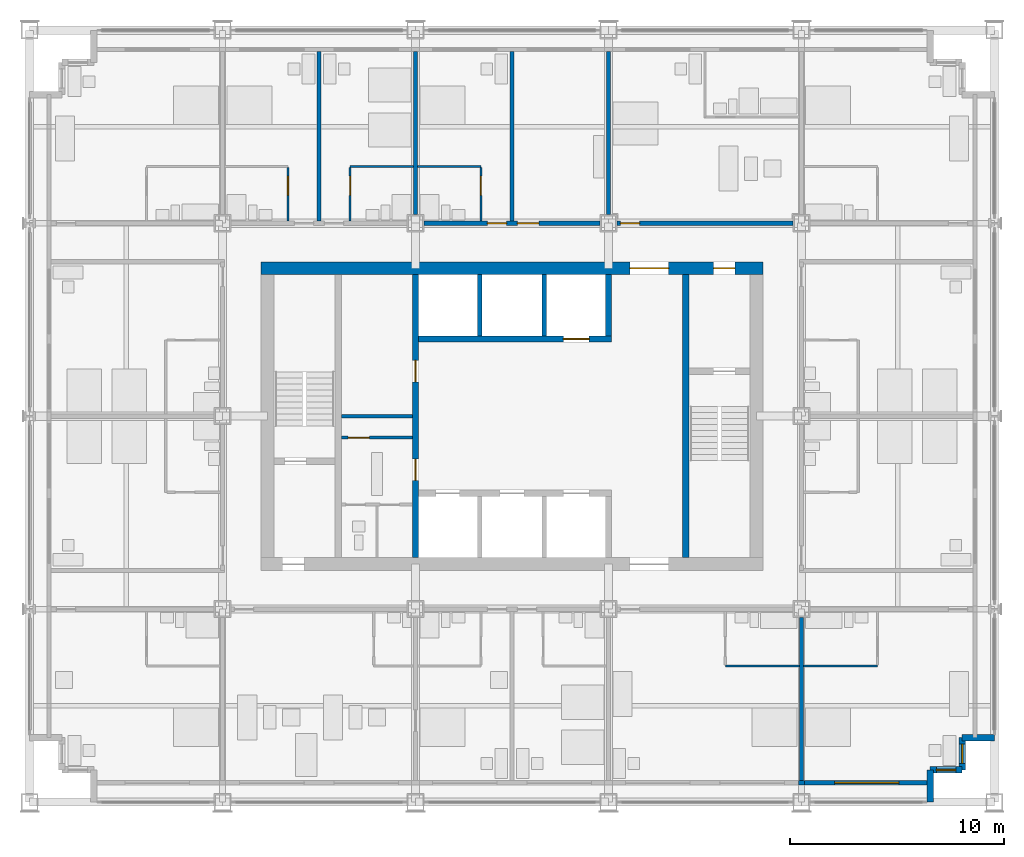
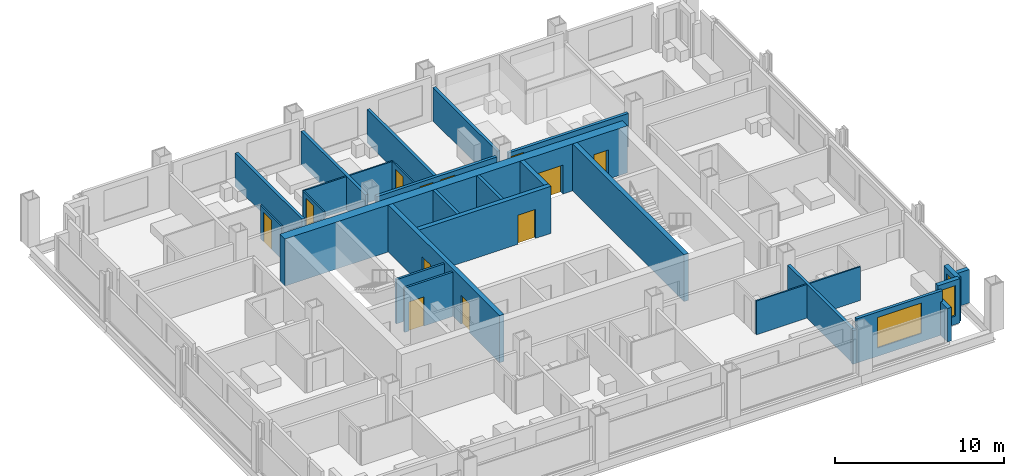
# One storey, part 11 of 16: 29 walls, 12 doors, 3 windows, 15 openings.
"""IFC4 building model written with IfcOpenShell, lengths in metres."""

from ifc_helpers import new_model, si_unit, direction, frame, frame_2d, origin, place, context, subcontext, project, spatial, rectangle, extrude, material, layer, layer_set, type_object, element, fill, save


model = new_model("IFC4")

# Units and contexts
model_context = context("Model", 3, precision=1e-05, world=origin(), true_north=direction((0.0, 1.0)))
body_context = subcontext(model_context, "Body", "Model", "MODEL_VIEW")
ifc_project = project(units=[si_unit("LENGTHUNIT", "METRE"), si_unit("AREAUNIT", "SQUARE_METRE"), si_unit("VOLUMEUNIT", "CUBIC_METRE"), si_unit("PLANEANGLEUNIT", "RADIAN"), si_unit("MASSUNIT", "GRAM", prefix="KILO")], contexts=[model_context])

# Site, building, storey
site_placement = place(None, origin())
site = spatial("IfcSite", under=ifc_project, at=site_placement, CompositionType="ELEMENT")
building_placement = place(site_placement, origin())
building = spatial("IfcBuilding", under=site, at=building_placement, Name="Loomwork Tower", CompositionType="ELEMENT")
storey_placement = place(building_placement, frame((0.0, 0.0, 128.199951171875)))
storey = spatial("IfcBuildingStorey", under=building, at=storey_placement, Name="L34", CompositionType="ELEMENT", Elevation=128.199951171875)

# Wall, openings, doors
ifc_material_1 = material(Name="Concrete 14000 psi (97 MPa)", Category="concrete")
ifc_layer_1 = layer(ifc_material_1, 0.300048828125)
ifc_layer_set_1 = layer_set([ifc_layer_1], Name="Core shear wall 300")
wall_type_1 = type_object("IfcWallType", Name="Core shear wall 300", PredefinedType="SHEAR", material=ifc_layer_set_1)
wall_1_placement = place(storey_placement, frame((18.0, 11.39990234375, 0.0), z_axis=(0.0, 0.0, 1.0), x_axis=(0.0, 1.0, 0.0)))
wall_1 = element("IfcWall", 1, at=wall_1_placement, inside=storey, type_object=wall_type_1, Name="Lobby west wall L34", PredefinedType="SHEAR", context=body_context, shape_type="SweptSolid", body=[
    extrude(rectangle(XDim=13.2001953125, YDim=0.300048828125, at=frame_2d((6.60009765625, 0.0))), origin(), (0.0, 0.0, 1.0), 3.400146484375),
])
opening_1_placement = place(wall_1_placement, frame((3.60009765625, 0.0, 0.0)))
opening_1 = element("IfcOpeningElement", 2, at=opening_1_placement, cuts=wall_1, Name="Opening D5", PredefinedType="OPENING", context=body_context, shape_type="SweptSolid", body=[
    extrude(rectangle(XDim=1.0, YDim=2.10009765625, at=frame_2d((0.5, 1.050048828125))), frame((0.0, 0.159912109375, 0.0), z_axis=(0.0, -1.0, 0.0), x_axis=(1.0, 0.0, 0.0)), (0.0, 0.0, 1.0), 0.320068359375),
])
opening_2_placement = place(wall_1_placement, frame((8.199951171875, 0.0, 0.0)))
opening_2 = element("IfcOpeningElement", 3, at=opening_2_placement, cuts=wall_1, Name="Opening D5", PredefinedType="OPENING", context=body_context, shape_type="SweptSolid", body=[
    extrude(rectangle(XDim=1.0, YDim=2.10009765625, at=frame_2d((0.5, 1.050048828125))), frame((0.0, 0.159912109375, 0.0), z_axis=(0.0, -1.0, 0.0), x_axis=(1.0, 0.0, 0.0)), (0.0, 0.0, 1.0), 0.320068359375),
])
ifc_material_2 = material(Name="Hollow metal door and frame")
door_type_1 = type_object("IfcDoorType", Name="Service door 1000", OperationType="SINGLE_SWING_LEFT", PredefinedType="DOOR", material=ifc_material_2)
door_1_placement = place(opening_1_placement, origin())
door_1 = element("IfcDoor", 4, at=door_1_placement, inside=storey, type_object=door_type_1, Name="Back-of-house door south", OperationType="SINGLE_SWING_LEFT", OverallHeight=2.10009765625, OverallWidth=1.0, PredefinedType="DOOR", context=body_context, shape_type="SweptSolid", body=[
    extrude(rectangle(XDim=1.0, YDim=2.10009765625, at=frame_2d((0.5, 1.050048828125))), frame((0.0, 0.02490234375, 0.0), z_axis=(0.0, -1.0, 0.0), x_axis=(1.0, 0.0, 0.0)), (0.0, 0.0, 1.0), 0.050048828125),
])
fill(opening_1, door_1)
door_2_placement = place(opening_2_placement, origin())
door_2 = element("IfcDoor", 5, at=door_2_placement, inside=storey, type_object=door_type_1, Name="Back-of-house door north", OperationType="SINGLE_SWING_RIGHT", OverallHeight=2.10009765625, OverallWidth=1.0, PredefinedType="DOOR", context=body_context, shape_type="SweptSolid", body=[
    extrude(rectangle(XDim=1.0, YDim=2.10009765625, at=frame_2d((0.5, 1.050048828125))), frame((0.0, 0.02490234375, 0.0), z_axis=(0.0, -1.0, 0.0), x_axis=(1.0, 0.0, 0.0)), (0.0, 0.0, 1.0), 0.050048828125),
])
fill(opening_2, door_2)

# Wall, opening, door
wall_2_placement = place(storey_placement, frame((18.14990234375, 21.60009765625, 0.0), z_axis=(0.0, 0.0, 1.0), x_axis=(1.0, 0.0, 0.0)))
wall_2 = element("IfcWall", 6, at=wall_2_placement, inside=storey, type_object=wall_type_1, Name="Lift front wall north L34", PredefinedType="SHEAR", context=body_context, shape_type="SweptSolid", body=[
    extrude(rectangle(XDim=9.0, YDim=0.300048828125, at=frame_2d((4.5, 0.0))), origin(), (0.0, 0.0, 1.0), 3.400146484375),
])
opening_3_placement = place(wall_2_placement, frame((6.75, 0.0, 0.0)))
opening_3 = element("IfcOpeningElement", 7, at=opening_3_placement, cuts=wall_2, Name="Opening LD2", PredefinedType="OPENING", context=body_context, shape_type="SweptSolid", body=[
    extrude(rectangle(XDim=1.199951171875, YDim=2.10009765625, at=frame_2d((0.60009765625, 1.050048828125))), frame((0.0, 0.159912109375, 0.0), z_axis=(0.0, -1.0, 0.0), x_axis=(1.0, 0.0, 0.0)), (0.0, 0.0, 1.0), 0.320068359375),
])
ifc_material_3 = material(Name="Hollow metal door and frame")
door_type_2 = type_object("IfcDoorType", Name="Lift landing door 1200", OperationType="SLIDING_TO_LEFT", PredefinedType="DOOR", material=ifc_material_3)
door_3_placement = place(opening_3_placement, origin())
door_3 = element("IfcDoor", 8, at=door_3_placement, inside=storey, type_object=door_type_2, Name="Lift landing door LF2", OperationType="SLIDING_TO_LEFT", OverallHeight=2.10009765625, OverallWidth=1.199951171875, PredefinedType="DOOR", context=body_context, shape_type="SweptSolid", body=[
    extrude(rectangle(XDim=1.199951171875, YDim=2.10009765625, at=frame_2d((0.60009765625, 1.050048828125))), frame((0.0, 0.02490234375, 0.0), z_axis=(0.0, -1.0, 0.0), x_axis=(1.0, 0.0, 0.0)), (0.0, 0.0, 1.0), 0.050048828125),
])
fill(opening_3, door_3)

# Walls
wall_3_placement = place(storey_placement, frame((27.0, 21.75, 0.0), z_axis=(0.0, 0.0, 1.0), x_axis=(0.0, 1.0, 0.0)))
element("IfcWall", 9, at=wall_3_placement, inside=storey, type_object=wall_type_1, Name="Lift shaft end wall north L34", PredefinedType="SHEAR", context=body_context, shape_type="SweptSolid", body=[
    extrude(rectangle(XDim=2.85009765625, YDim=0.300048828125, at=frame_2d((1.425048828125, 0.0))), origin(), (0.0, 0.0, 1.0), 3.400146484375),
])
wall_4_placement = place(storey_placement, frame((30.60009765625, 11.39990234375, 0.0), z_axis=(0.0, 0.0, 1.0), x_axis=(0.0, 1.0, 0.0)))
element("IfcWall", 10, at=wall_4_placement, inside=storey, type_object=wall_type_1, Name="Stair B west wall L34", PredefinedType="SHEAR", context=body_context, shape_type="SweptSolid", body=[
    extrude(rectangle(XDim=13.2001953125, YDim=0.300048828125, at=frame_2d((6.60009765625, 0.0))), origin(), (0.0, 0.0, 1.0), 3.400146484375),
])

# Wall, openings, doors
ifc_material_4 = material(Name="Concrete 14000 psi (97 MPa)", Category="concrete")
ifc_layer_2 = layer(ifc_material_4, 0.60009765625)
ifc_layer_set_2 = layer_set([ifc_layer_2], Name="Core shear wall 600")
wall_type_2 = type_object("IfcWallType", Name="Core shear wall 600", PredefinedType="SHEAR", material=ifc_layer_set_2)
wall_5_placement = place(storey_placement, frame((10.800048828125, 24.89990234375, 0.0), z_axis=(0.0, 0.0, 1.0), x_axis=(1.0, 0.0, 0.0)))
wall_5 = element("IfcWall", 11, at=wall_5_placement, inside=storey, type_object=wall_type_2, Name="Core wall north L34", PredefinedType="SHEAR", context=body_context, shape_type="SweptSolid", body=[
    extrude(rectangle(XDim=23.39990234375, YDim=0.60009765625, at=frame_2d((11.699951171875, 0.0))), origin(), (0.0, 0.0, 1.0), 3.400146484375),
])
opening_4_placement = place(wall_5_placement, frame((17.199951171875, 0.0, 0.0)))
opening_4 = element("IfcOpeningElement", 12, at=opening_4_placement, cuts=wall_5, Name="Opening D6", PredefinedType="OPENING", context=body_context, shape_type="SweptSolid", body=[
    extrude(rectangle(XDim=1.800048828125, YDim=2.10009765625, at=frame_2d((0.89990234375, 1.050048828125))), frame((0.0, 0.31005859375, 0.0), z_axis=(0.0, -1.0, 0.0), x_axis=(1.0, 0.0, 0.0)), (0.0, 0.0, 1.0), 0.6201171875),
])
opening_5_placement = place(wall_5_placement, frame((21.10009765625, 0.0, 0.0)))
opening_5 = element("IfcOpeningElement", 13, at=opening_5_placement, cuts=wall_5, Name="Opening D4", PredefinedType="OPENING", context=body_context, shape_type="SweptSolid", body=[
    extrude(rectangle(XDim=1.0, YDim=2.10009765625, at=frame_2d((0.5, 1.050048828125))), frame((0.0, 0.31005859375, 0.0), z_axis=(0.0, -1.0, 0.0), x_axis=(1.0, 0.0, 0.0)), (0.0, 0.0, 1.0), 0.6201171875),
])
ifc_material_5 = material(Name="Hollow metal door and frame")
door_type_3 = type_object("IfcDoorType", Name="Lobby passage double door 1800", OperationType="DOUBLE_DOOR_SINGLE_SWING", PredefinedType="DOOR", material=ifc_material_5)
door_4_placement = place(opening_4_placement, frame((1.800048828125, 0.0, 0.0), z_axis=(0.0, 0.0, 1.0), x_axis=(-1.0, 0.0, 0.0)))
door_4 = element("IfcDoor", 14, at=door_4_placement, inside=storey, type_object=door_type_3, Name="Lobby passage door north", OperationType="DOUBLE_DOOR_SINGLE_SWING", OverallHeight=2.10009765625, OverallWidth=1.800048828125, PredefinedType="DOOR", context=body_context, shape_type="SweptSolid", body=[
    extrude(rectangle(XDim=1.800048828125, YDim=2.10009765625, at=frame_2d((0.89990234375, 1.050048828125))), frame((0.0, 0.02490234375, 0.0), z_axis=(0.0, -1.0, 0.0), x_axis=(1.0, 0.0, 0.0)), (0.0, 0.0, 1.0), 0.050048828125),
])
fill(opening_4, door_4)
ifc_material_6 = material(Name="Hollow metal door and frame")
door_type_4 = type_object("IfcDoorType", Name="Stair door 1000", OperationType="SINGLE_SWING_RIGHT", PredefinedType="DOOR", material=ifc_material_6)
door_5_placement = place(opening_5_placement, frame((1.0, 0.0, 0.0), z_axis=(0.0, 0.0, 1.0), x_axis=(-1.0, 0.0, 0.0)))
door_5 = element("IfcDoor", 15, at=door_5_placement, inside=storey, type_object=door_type_4, Name="Stair B vestibule door", OperationType="SINGLE_SWING_LEFT", OverallHeight=2.10009765625, OverallWidth=1.0, PredefinedType="DOOR", context=body_context, shape_type="SweptSolid", body=[
    extrude(rectangle(XDim=1.0, YDim=2.10009765625, at=frame_2d((0.5, 1.050048828125))), frame((0.0, 0.02490234375, 0.0), z_axis=(0.0, -1.0, 0.0), x_axis=(1.0, 0.0, 0.0)), (0.0, 0.0, 1.0), 0.050048828125),
])
fill(opening_5, door_5)

ifc_material_7 = material(Name="Gypsum board on steel studs, one-hour", Category="steel")
ifc_layer_3 = layer(ifc_material_7, 0.199951171875)
ifc_layer_set_3 = layer_set([ifc_layer_3], Name="Corridor wall 200")
wall_type_3 = type_object("IfcWallType", Name="Corridor wall 200", PredefinedType="PARTITIONING", material=ifc_layer_set_3)
wall_6_placement = place(storey_placement, frame((18.39990234375, 27.0, 0.0), z_axis=(0.0, 0.0, 1.0), x_axis=(1.0, 0.0, 0.0)))
wall_6 = element("IfcWall", 16, at=wall_6_placement, inside=storey, type_object=wall_type_3, Name="North corridor wall 3", PredefinedType="PARTITIONING", context=body_context, shape_type="SweptSolid", body=[
    extrude(rectangle(XDim=8.2001953125, YDim=0.199951171875, at=frame_2d((4.10009765625, 0.0))), origin(), (0.0, 0.0, 1.0), 2.405029296875),
])
opening_6_placement = place(wall_6_placement, frame((2.949951171875, 0.0, 0.0)))
opening_6 = element("IfcOpeningElement", 17, at=opening_6_placement, cuts=wall_6, Name="Opening D1", PredefinedType="OPENING", context=body_context, shape_type="SweptSolid", body=[
    extrude(rectangle(XDim=0.89990234375, YDim=2.10009765625, at=frame_2d((0.449951171875, 1.050048828125))), frame((0.0, 0.10986328125, 0.0), z_axis=(0.0, -1.0, 0.0), x_axis=(1.0, 0.0, 0.0)), (0.0, 0.0, 1.0), 0.219970703125),
])
opening_7_placement = place(wall_6_placement, frame((4.35009765625, 0.0, 0.0)))
opening_7 = element("IfcOpeningElement", 18, at=opening_7_placement, cuts=wall_6, Name="Opening D15", PredefinedType="OPENING", context=body_context, shape_type="SweptSolid", body=[
    extrude(rectangle(XDim=1.0, YDim=2.10009765625, at=frame_2d((0.5, 1.050048828125))), frame((0.0, 0.10986328125, 0.0), z_axis=(0.0, -1.0, 0.0), x_axis=(1.0, 0.0, 0.0)), (0.0, 0.0, 1.0), 0.219970703125),
])
ifc_material_8 = material(Name="Hollow metal door and frame")
door_type_5 = type_object("IfcDoorType", Name="Fire-rated room door 1000", OperationType="SINGLE_SWING_LEFT", PredefinedType="DOOR", material=ifc_material_8)
door_6_placement = place(opening_7_placement, origin())
door_6 = element("IfcDoor", 19, at=door_6_placement, inside=storey, type_object=door_type_5, Name="Housekeeping pantry door L34 11", OperationType="SINGLE_SWING_LEFT", OverallHeight=2.10009765625, OverallWidth=1.0, PredefinedType="DOOR", context=body_context, shape_type="SweptSolid", body=[
    extrude(rectangle(XDim=1.0, YDim=2.10009765625, at=frame_2d((0.5, 1.050048828125))), frame((0.0, 0.02490234375, 0.0), z_axis=(0.0, -1.0, 0.0), x_axis=(1.0, 0.0, 0.0)), (0.0, 0.0, 1.0), 0.050048828125),
])
fill(opening_7, door_6)
ifc_material_9 = material(Name="Hollow metal door and frame")
door_type_6 = type_object("IfcDoorType", Name="Guest room entry door 900", OperationType="SINGLE_SWING_LEFT", PredefinedType="DOOR", material=ifc_material_9)
door_7_placement = place(opening_6_placement, origin())
door_7 = element("IfcDoor", 20, at=door_7_placement, inside=storey, type_object=door_type_6, Name="Guest room entry door L34 10", OperationType="SINGLE_SWING_RIGHT", OverallHeight=2.10009765625, OverallWidth=0.89990234375, PredefinedType="DOOR", context=body_context, shape_type="SweptSolid", body=[
    extrude(rectangle(XDim=0.89990234375, YDim=2.10009765625, at=frame_2d((0.449951171875, 1.050048828125))), frame((0.0, 0.02490234375, 0.0), z_axis=(0.0, -1.0, 0.0), x_axis=(1.0, 0.0, 0.0)), (0.0, 0.0, 1.0), 0.050048828125),
])
fill(opening_6, door_7)

# Wall, opening, door
wall_7_placement = place(storey_placement, frame((27.39990234375, 27.0, 0.0), z_axis=(0.0, 0.0, 1.0), x_axis=(1.0, 0.0, 0.0)))
wall_7 = element("IfcWall", 21, at=wall_7_placement, inside=storey, type_object=wall_type_3, Name="North corridor wall 4", PredefinedType="PARTITIONING", context=body_context, shape_type="SweptSolid", body=[
    extrude(rectangle(XDim=8.2001953125, YDim=0.199951171875, at=frame_2d((4.10009765625, 0.0))), origin(), (0.0, 0.0, 1.0), 2.405029296875),
])
opening_8_placement = place(wall_7_placement, frame((0.14990234375, 0.0, 0.0)))
opening_8 = element("IfcOpeningElement", 22, at=opening_8_placement, cuts=wall_7, Name="Opening D1", PredefinedType="OPENING", context=body_context, shape_type="SweptSolid", body=[
    extrude(rectangle(XDim=0.89990234375, YDim=2.10009765625, at=frame_2d((0.449951171875, 1.050048828125))), frame((0.0, 0.10986328125, 0.0), z_axis=(0.0, -1.0, 0.0), x_axis=(1.0, 0.0, 0.0)), (0.0, 0.0, 1.0), 0.219970703125),
])
door_8_placement = place(opening_8_placement, origin())
door_8 = element("IfcDoor", 23, at=door_8_placement, inside=storey, type_object=door_type_6, Name="Guest room entry door L34 12", OperationType="SINGLE_SWING_LEFT", OverallHeight=2.10009765625, OverallWidth=0.89990234375, PredefinedType="DOOR", context=body_context, shape_type="SweptSolid", body=[
    extrude(rectangle(XDim=0.89990234375, YDim=2.10009765625, at=frame_2d((0.449951171875, 1.050048828125))), frame((0.0, 0.02490234375, 0.0), z_axis=(0.0, -1.0, 0.0), x_axis=(1.0, 0.0, 0.0)), (0.0, 0.0, 1.0), 0.050048828125),
])
fill(opening_8, door_8)

# Walls
ifc_material_10 = material(Name="Cement board on steel studs", Category="steel")
ifc_layer_4 = layer(ifc_material_10, 0.10009765625)
ifc_layer_set_4 = layer_set([ifc_layer_4], Name="En-suite partition 100")
wall_type_4 = type_object("IfcWallType", Name="En-suite partition 100", PredefinedType="PARTITIONING", material=ifc_layer_set_4)
for number, where, z_axis, x_axis, name in (
    (24, (32.449951171875, 6.35009765625, 0.0), (0.0, 0.0, 1.0), (1.0, 0.0, 0.0), "En-suite wall L34 room 5"),
    (25, (36.10009765625, 6.35009765625, 0.0), (0.0, 0.0, 1.0), (1.0, 0.0, 0.0), "En-suite wall L34 room 6"),
):
    element("IfcWall", number, at=place(storey_placement, frame(where, z_axis=z_axis, x_axis=x_axis)), inside=storey, type_object=wall_type_4, Name=name, PredefinedType="PARTITIONING", context=body_context, shape_type="SweptSolid", body=[
        extrude(rectangle(XDim=3.449951171875, YDim=0.10009765625, at=frame_2d((1.72509765625, 0.0))), origin(), (0.0, 0.0, 1.0), 2.43798828125),
    ])

# Wall, opening, door
wall_8_placement = place(storey_placement, frame((12.050048828125, 27.10009765625, 0.0), z_axis=(0.0, 0.0, 1.0), x_axis=(0.0, 1.0, 0.0)))
wall_8 = element("IfcWall", 26, at=wall_8_placement, inside=storey, type_object=wall_type_4, Name="En-suite side wall L34 room 8", PredefinedType="PARTITIONING", context=body_context, shape_type="SweptSolid", body=[
    extrude(rectangle(XDim=2.5, YDim=0.10009765625, at=frame_2d((1.25, 0.0))), origin(), (0.0, 0.0, 1.0), 2.404052734375),
])
opening_9_placement = place(wall_8_placement, frame((1.199951171875, 0.0, 0.0)))
opening_9 = element("IfcOpeningElement", 27, at=opening_9_placement, cuts=wall_8, Name="Opening D2", PredefinedType="OPENING", context=body_context, shape_type="SweptSolid", body=[
    extrude(rectangle(XDim=0.89990234375, YDim=2.10009765625, at=frame_2d((0.449951171875, 1.050048828125))), frame((0.0, 0.06005859375, 0.0), z_axis=(0.0, -1.0, 0.0), x_axis=(1.0, 0.0, 0.0)), (0.0, 0.0, 1.0), 0.1201171875),
])
ifc_material_11 = material(Name="Hollow metal door and frame")
door_type_7 = type_object("IfcDoorType", Name="En-suite door 900", OperationType="SINGLE_SWING_LEFT", PredefinedType="DOOR", material=ifc_material_11)
door_9_placement = place(opening_9_placement, origin())
door_9 = element("IfcDoor", 28, at=door_9_placement, inside=storey, type_object=door_type_7, Name="En-suite door room 8", OperationType="SINGLE_SWING_RIGHT", OverallHeight=2.10009765625, OverallWidth=0.89990234375, PredefinedType="DOOR", context=body_context, shape_type="SweptSolid", body=[
    extrude(rectangle(XDim=0.89990234375, YDim=2.10009765625, at=frame_2d((0.449951171875, 1.050048828125))), frame((0.0, 0.02490234375, 0.0), z_axis=(0.0, -1.0, 0.0), x_axis=(1.0, 0.0, 0.0)), (0.0, 0.0, 1.0), 0.050048828125),
])
fill(opening_9, door_9)

# Wall
wall_9_placement = place(storey_placement, frame((14.949951171875, 29.64990234375, 0.0), z_axis=(0.0, 0.0, 1.0), x_axis=(1.0, 0.0, 0.0)))
element("IfcWall", 29, at=wall_9_placement, inside=storey, type_object=wall_type_4, Name="En-suite wall L34 room 9", PredefinedType="PARTITIONING", context=body_context, shape_type="SweptSolid", body=[
    extrude(rectangle(XDim=2.949951171875, YDim=0.10009765625, at=frame_2d((1.47509765625, 0.0))), origin(), (0.0, 0.0, 1.0), 2.404052734375),
])

# Wall, opening, door
wall_10_placement = place(storey_placement, frame((14.949951171875, 27.10009765625, 0.0), z_axis=(0.0, 0.0, 1.0), x_axis=(0.0, 1.0, 0.0)))
wall_10 = element("IfcWall", 30, at=wall_10_placement, inside=storey, type_object=wall_type_4, Name="En-suite side wall L34 room 9", PredefinedType="PARTITIONING", context=body_context, shape_type="SweptSolid", body=[
    extrude(rectangle(XDim=2.5, YDim=0.10009765625, at=frame_2d((1.25, 0.0))), origin(), (0.0, 0.0, 1.0), 2.404052734375),
])
opening_10_placement = place(wall_10_placement, frame((1.199951171875, 0.0, 0.0)))
opening_10 = element("IfcOpeningElement", 31, at=opening_10_placement, cuts=wall_10, Name="Opening D2", PredefinedType="OPENING", context=body_context, shape_type="SweptSolid", body=[
    extrude(rectangle(XDim=0.89990234375, YDim=2.10009765625, at=frame_2d((0.449951171875, 1.050048828125))), frame((0.0, 0.06005859375, 0.0), z_axis=(0.0, -1.0, 0.0), x_axis=(1.0, 0.0, 0.0)), (0.0, 0.0, 1.0), 0.1201171875),
])
door_10_placement = place(opening_10_placement, frame((0.89990234375, 0.0, 0.0), z_axis=(0.0, 0.0, 1.0), x_axis=(-1.0, 0.0, 0.0)))
door_10 = element("IfcDoor", 32, at=door_10_placement, inside=storey, type_object=door_type_7, Name="En-suite door room 9", OperationType="SINGLE_SWING_LEFT", OverallHeight=2.10009765625, OverallWidth=0.89990234375, PredefinedType="DOOR", context=body_context, shape_type="SweptSolid", body=[
    extrude(rectangle(XDim=0.89990234375, YDim=2.10009765625, at=frame_2d((0.449951171875, 1.050048828125))), frame((0.0, 0.02490234375, 0.0), z_axis=(0.0, -1.0, 0.0), x_axis=(1.0, 0.0, 0.0)), (0.0, 0.0, 1.0), 0.050048828125),
])
fill(opening_10, door_10)

# Wall
wall_11_placement = place(storey_placement, frame((18.10009765625, 29.64990234375, 0.0), z_axis=(0.0, 0.0, 1.0), x_axis=(1.0, 0.0, 0.0)))
element("IfcWall", 33, at=wall_11_placement, inside=storey, type_object=wall_type_4, Name="En-suite wall L34 room 10", PredefinedType="PARTITIONING", context=body_context, shape_type="SweptSolid", body=[
    extrude(rectangle(XDim=2.949951171875, YDim=0.10009765625, at=frame_2d((1.47509765625, 0.0))), origin(), (0.0, 0.0, 1.0), 2.404052734375),
])

# Wall, opening, door
wall_12_placement = place(storey_placement, frame((21.050048828125, 27.10009765625, 0.0), z_axis=(0.0, 0.0, 1.0), x_axis=(0.0, 1.0, 0.0)))
wall_12 = element("IfcWall", 34, at=wall_12_placement, inside=storey, type_object=wall_type_4, Name="En-suite side wall L34 room 10", PredefinedType="PARTITIONING", context=body_context, shape_type="SweptSolid", body=[
    extrude(rectangle(XDim=2.5, YDim=0.10009765625, at=frame_2d((1.25, 0.0))), origin(), (0.0, 0.0, 1.0), 2.404052734375),
])
opening_11_placement = place(wall_12_placement, frame((1.199951171875, 0.0, 0.0)))
opening_11 = element("IfcOpeningElement", 35, at=opening_11_placement, cuts=wall_12, Name="Opening D2", PredefinedType="OPENING", context=body_context, shape_type="SweptSolid", body=[
    extrude(rectangle(XDim=0.89990234375, YDim=2.10009765625, at=frame_2d((0.449951171875, 1.050048828125))), frame((0.0, 0.06005859375, 0.0), z_axis=(0.0, -1.0, 0.0), x_axis=(1.0, 0.0, 0.0)), (0.0, 0.0, 1.0), 0.1201171875),
])
door_11_placement = place(opening_11_placement, origin())
door_11 = element("IfcDoor", 36, at=door_11_placement, inside=storey, type_object=door_type_7, Name="En-suite door room 10", OperationType="SINGLE_SWING_RIGHT", OverallHeight=2.10009765625, OverallWidth=0.89990234375, PredefinedType="DOOR", context=body_context, shape_type="SweptSolid", body=[
    extrude(rectangle(XDim=0.89990234375, YDim=2.10009765625, at=frame_2d((0.449951171875, 1.050048828125))), frame((0.0, 0.02490234375, 0.0), z_axis=(0.0, -1.0, 0.0), x_axis=(1.0, 0.0, 0.0)), (0.0, 0.0, 1.0), 0.050048828125),
])
fill(opening_11, door_11)

# Walls
ifc_material_12 = material(Name="Gypsum board on steel studs, acoustic", Category="steel")
ifc_layer_5 = layer(ifc_material_12, 0.199951171875)
ifc_layer_set_5 = layer_set([ifc_layer_5], Name="Guest room party wall 200")
wall_type_5 = type_object("IfcWallType", Name="Guest room party wall 200", PredefinedType="PARTITIONING", material=ifc_layer_set_5)
wall_13_placement = place(storey_placement, frame((36.0, 8.60009765625, 0.0), z_axis=(0.0, 0.0, 1.0), x_axis=(0.0, -1.0, 0.0)))
element("IfcWall", 37, at=wall_13_placement, inside=storey, type_object=wall_type_5, Name="Guest room party wall S 36", PredefinedType="PARTITIONING", context=body_context, shape_type="SweptSolid", body=[
    extrude(rectangle(XDim=7.60009765625, YDim=0.199951171875, at=frame_2d((3.800048828125, 0.0))), origin(), (0.0, 0.0, 1.0), 2.43798828125),
])
wall_14_placement = place(storey_placement, frame((13.5, 27.10009765625, 0.0), z_axis=(0.0, 0.0, 1.0), x_axis=(0.0, 1.0, 0.0)))
element("IfcWall", 38, at=wall_14_placement, inside=storey, type_object=wall_type_5, Name="Guest room party wall N 13.5", PredefinedType="PARTITIONING", context=body_context, shape_type="SweptSolid", body=[
    extrude(rectangle(XDim=7.89990234375, YDim=0.199951171875, at=frame_2d((3.949951171875, 0.0))), origin(), (0.0, 0.0, 1.0), 2.404052734375),
])
wall_15_placement = place(storey_placement, frame((18.0, 27.39990234375, 0.0), z_axis=(0.0, 0.0, 1.0), x_axis=(0.0, 1.0, 0.0)))
element("IfcWall", 39, at=wall_15_placement, inside=storey, type_object=wall_type_5, Name="Guest room party wall N 18", PredefinedType="PARTITIONING", context=body_context, shape_type="SweptSolid", body=[
    extrude(rectangle(XDim=7.60009765625, YDim=0.199951171875, at=frame_2d((3.800048828125, 0.0))), origin(), (0.0, 0.0, 1.0), 2.405029296875),
])
wall_16_placement = place(storey_placement, frame((22.5, 27.10009765625, 0.0), z_axis=(0.0, 0.0, 1.0), x_axis=(0.0, 1.0, 0.0)))
element("IfcWall", 40, at=wall_16_placement, inside=storey, type_object=wall_type_5, Name="Guest room party wall N 22.5", PredefinedType="PARTITIONING", context=body_context, shape_type="SweptSolid", body=[
    extrude(rectangle(XDim=7.89990234375, YDim=0.199951171875, at=frame_2d((3.949951171875, 0.0))), origin(), (0.0, 0.0, 1.0), 2.404052734375),
])
wall_17_placement = place(storey_placement, frame((27.0, 27.39990234375, 0.0), z_axis=(0.0, 0.0, 1.0), x_axis=(0.0, 1.0, 0.0)))
element("IfcWall", 41, at=wall_17_placement, inside=storey, type_object=wall_type_5, Name="Guest room party wall N 27", PredefinedType="PARTITIONING", context=body_context, shape_type="SweptSolid", body=[
    extrude(rectangle(XDim=7.60009765625, YDim=0.199951171875, at=frame_2d((3.800048828125, 0.0))), origin(), (0.0, 0.0, 1.0), 2.405029296875),
])
ifc_material_13 = material(Name="Insulated steel stud wall with gypsum lining", Category="steel")
ifc_layer_6 = layer(ifc_material_13, 0.199951171875)
ifc_layer_set_6 = layer_set([ifc_layer_6], Name="Inner skin wall 200")
wall_type_6 = type_object("IfcWallType", Name="Inner skin wall 200", PredefinedType="SOLIDWALL", material=ifc_layer_set_6)
wall_18_placement = place(storey_placement, frame((35.864501953125, 0.89990234375, 0.0), z_axis=(0.0, 0.0, 1.0), x_axis=(1.0, 0.0, 0.0)))
element("IfcWall", 42, at=wall_18_placement, inside=storey, type_object=wall_type_6, Name="Inner skin wall S bay 8", PredefinedType="SOLIDWALL", context=body_context, shape_type="SweptSolid", body=[
    extrude(rectangle(XDim=0.27099609375, YDim=0.199951171875, at=frame_2d((0.135498046875, 0.0))), origin(), (0.0, 0.0, 1.0), 2.43798828125),
])

# Wall, opening, window
wall_19_placement = place(storey_placement, frame((36.135498046875, 0.89990234375, 0.0), z_axis=(0.0, 0.0, 1.0), x_axis=(1.0, 0.0, 0.0)))
wall_19 = element("IfcWall", 43, at=wall_19_placement, inside=storey, type_object=wall_type_6, Name="Inner skin wall S bay 9", PredefinedType="SOLIDWALL", context=body_context, shape_type="SweptSolid", body=[
    extrude(rectangle(XDim=5.864501953125, YDim=0.199951171875, at=frame_2d((2.93212890625, 0.0))), origin(), (0.0, 0.0, 1.0), 3.199951171875),
])
opening_12_placement = place(wall_19_placement, frame((1.41455078125, 0.0, 0.60009765625)))
opening_12 = element("IfcOpeningElement", 44, at=opening_12_placement, cuts=wall_19, Name="Opening CH1", PredefinedType="OPENING", context=body_context, shape_type="SweptSolid", body=[
    extrude(rectangle(XDim=3.0, YDim=2.199951171875, at=frame_2d((1.5, 1.10009765625))), frame((0.0, 0.10986328125, 0.0), z_axis=(0.0, -1.0, 0.0), x_axis=(1.0, 0.0, 0.0)), (0.0, 0.0, 1.0), 0.219970703125),
])
ifc_material_14 = material(Name="Aluminium frame with clear insulated glass", Category="aluminium")
window_type_1 = type_object("IfcWindowType", Name="Chicago window 3000", PartitioningType="TRIPLE_PANEL_VERTICAL", PredefinedType="WINDOW", material=ifc_material_14)
window_1_placement = place(opening_12_placement, origin())
window_1 = element("IfcWindow", 45, at=window_1_placement, inside=storey, type_object=window_type_1, Name="Chicago window L34 bay 5", OverallHeight=2.199951171875, OverallWidth=3.0, PartitioningType="TRIPLE_PANEL_VERTICAL", PredefinedType="WINDOW", context=body_context, shape_type="SweptSolid", body=[
    extrude(rectangle(XDim=3.0, YDim=2.199951171875, at=frame_2d((1.5, 1.10009765625))), frame((0.0, 0.030029296875, 0.0), z_axis=(0.0, -1.0, 0.0), x_axis=(1.0, 0.0, 0.0)), (0.0, 0.0, 1.0), 0.06005859375),
])
fill(opening_12, window_1)

# Walls
ifc_material_15 = material(Name="Concrete 14000 psi (97 MPa)", Category="concrete")
ifc_layer_7 = layer(ifc_material_15, 0.199951171875)
ifc_layer_set_7 = layer_set([ifc_layer_7], Name="Lift shaft wall 200")
wall_type_7 = type_object("IfcWallType", Name="Lift shaft wall 200", PredefinedType="SHEAR", material=ifc_layer_set_7)
for number, where, z_axis, x_axis, name in (
    (46, (21.0, 21.75, 0.0), (0.0, 0.0, 1.0), (0.0, 1.0, 0.0), "Lift shaft separation wall north 1 L34"),
    (47, (24.0, 21.75, 0.0), (0.0, 0.0, 1.0), (0.0, 1.0, 0.0), "Lift shaft separation wall north 2 L34"),
):
    element("IfcWall", number, at=place(storey_placement, frame(where, z_axis=z_axis, x_axis=x_axis)), inside=storey, type_object=wall_type_7, Name=name, PredefinedType="SHEAR", context=body_context, shape_type="SweptSolid", body=[
        extrude(rectangle(XDim=2.85009765625, YDim=0.199951171875, at=frame_2d((1.425048828125, 0.0))), origin(), (0.0, 0.0, 1.0), 3.400146484375),
    ])
ifc_material_16 = material(Name="Limestone on concrete masonry", Category="masonry")
ifc_layer_8 = layer(ifc_material_16, 0.300048828125)
ifc_layer_set_8 = layer_set([ifc_layer_8], Name="Limestone corner wall 300")
wall_type_8 = type_object("IfcWallType", Name="Limestone corner wall 300", PredefinedType="SOLIDWALL", material=ifc_layer_set_8)
wall_20_placement = place(storey_placement, frame((42.0, 0.0, 0.0), z_axis=(0.0, 0.0, 1.0), x_axis=(0.0, 1.0, 0.0)))
element("IfcWall", 48, at=wall_20_placement, inside=storey, type_object=wall_type_8, Name="Stone corner wall SE 1", PredefinedType="SOLIDWALL", context=body_context, shape_type="SweptSolid", body=[
    extrude(rectangle(XDim=1.5, YDim=0.300048828125, at=frame_2d((0.75, 0.0))), origin(), (0.0, 0.0, 1.0), 2.420166015625),
])

# Wall, opening, window
wall_21_placement = place(storey_placement, frame((42.0, 1.5, 0.0), z_axis=(0.0, 0.0, 1.0), x_axis=(1.0, 0.0, 0.0)))
wall_21 = element("IfcWall", 49, at=wall_21_placement, inside=storey, type_object=wall_type_8, Name="Stone corner wall SE 2", PredefinedType="SOLIDWALL", context=body_context, shape_type="SweptSolid", body=[
    extrude(rectangle(XDim=1.5, YDim=0.300048828125, at=frame_2d((0.75, 0.0))), origin(), (0.0, 0.0, 1.0), 3.199951171875),
])
opening_13_placement = place(wall_21_placement, frame((0.300048828125, 0.0, 0.60009765625)))
opening_13 = element("IfcOpeningElement", 50, at=opening_13_placement, cuts=wall_21, Name="Opening CH2", PredefinedType="OPENING", context=body_context, shape_type="SweptSolid", body=[
    extrude(rectangle(XDim=0.89990234375, YDim=2.199951171875, at=frame_2d((0.449951171875, 1.10009765625))), frame((0.0, 0.159912109375, 0.0), z_axis=(0.0, -1.0, 0.0), x_axis=(1.0, 0.0, 0.0)), (0.0, 0.0, 1.0), 0.320068359375),
])
ifc_material_17 = material(Name="Aluminium frame with clear insulated glass", Category="aluminium")
window_type_2 = type_object("IfcWindowType", Name="Corner window 900", PartitioningType="SINGLE_PANEL", PredefinedType="WINDOW", material=ifc_material_17)
window_2_placement = place(opening_13_placement, origin())
window_2 = element("IfcWindow", 51, at=window_2_placement, inside=storey, type_object=window_type_2, Name="Corner window SE", OverallHeight=2.199951171875, OverallWidth=0.89990234375, PartitioningType="SINGLE_PANEL", PredefinedType="WINDOW", context=body_context, shape_type="SweptSolid", body=[
    extrude(rectangle(XDim=0.89990234375, YDim=2.199951171875, at=frame_2d((0.449951171875, 1.10009765625))), frame((0.0, 0.030029296875, 0.0), z_axis=(0.0, -1.0, 0.0), x_axis=(1.0, 0.0, 0.0)), (0.0, 0.0, 1.0), 0.06005859375),
])
fill(opening_13, window_2)

wall_22_placement = place(storey_placement, frame((43.5, 1.5, 0.0), z_axis=(0.0, 0.0, 1.0), x_axis=(0.0, 1.0, 0.0)))
wall_22 = element("IfcWall", 52, at=wall_22_placement, inside=storey, type_object=wall_type_8, Name="Stone corner wall SE 3", PredefinedType="SOLIDWALL", context=body_context, shape_type="SweptSolid", body=[
    extrude(rectangle(XDim=1.5, YDim=0.300048828125, at=frame_2d((0.75, 0.0))), origin(), (0.0, 0.0, 1.0), 3.199951171875),
])
opening_14_placement = place(wall_22_placement, frame((0.300048828125, 0.0, 0.60009765625)))
opening_14 = element("IfcOpeningElement", 53, at=opening_14_placement, cuts=wall_22, Name="Opening CH2", PredefinedType="OPENING", context=body_context, shape_type="SweptSolid", body=[
    extrude(rectangle(XDim=0.89990234375, YDim=2.199951171875, at=frame_2d((0.449951171875, 1.10009765625))), frame((0.0, 0.159912109375, 0.0), z_axis=(0.0, -1.0, 0.0), x_axis=(1.0, 0.0, 0.0)), (0.0, 0.0, 1.0), 0.320068359375),
])
window_3_placement = place(opening_14_placement, origin())
window_3 = element("IfcWindow", 54, at=window_3_placement, inside=storey, type_object=window_type_2, Name="Corner window SE", OverallHeight=2.199951171875, OverallWidth=0.89990234375, PartitioningType="SINGLE_PANEL", PredefinedType="WINDOW", context=body_context, shape_type="SweptSolid", body=[
    extrude(rectangle(XDim=0.89990234375, YDim=2.199951171875, at=frame_2d((0.449951171875, 1.10009765625))), frame((0.0, 0.030029296875, 0.0), z_axis=(0.0, -1.0, 0.0), x_axis=(1.0, 0.0, 0.0)), (0.0, 0.0, 1.0), 0.06005859375),
])
fill(opening_14, window_3)

# Walls
wall_23_placement = place(storey_placement, frame((43.5, 3.0, 0.0), z_axis=(0.0, 0.0, 1.0), x_axis=(1.0, 0.0, 0.0)))
element("IfcWall", 55, at=wall_23_placement, inside=storey, type_object=wall_type_8, Name="Stone corner wall SE 4", PredefinedType="SOLIDWALL", context=body_context, shape_type="SweptSolid", body=[
    extrude(rectangle(XDim=1.5, YDim=0.300048828125, at=frame_2d((0.75, 0.0))), origin(), (0.0, 0.0, 1.0), 2.420166015625),
])
ifc_material_18 = material(Name="Gypsum board on steel studs", Category="steel")
ifc_layer_9 = layer(ifc_material_18, 0.14990234375)
ifc_layer_set_9 = layer_set([ifc_layer_9], Name="Partition 150 two-hour")
wall_type_9 = type_object("IfcWallType", Name="Partition 150 two-hour", PredefinedType="PARTITIONING", material=ifc_layer_set_9)
wall_24_placement = place(storey_placement, frame((14.550048828125, 18.0, 0.0), z_axis=(0.0, 0.0, 1.0), x_axis=(1.0, 0.0, 0.0)))
element("IfcWall", 56, at=wall_24_placement, inside=storey, type_object=wall_type_9, Name="Back-of-house dividing wall L34", PredefinedType="PARTITIONING", context=body_context, shape_type="SweptSolid", body=[
    extrude(rectangle(XDim=3.300048828125, YDim=0.14990234375, at=frame_2d((1.64990234375, 0.0))), origin(), (0.0, 0.0, 1.0), 3.199951171875),
])

# Wall, opening, door
ifc_material_19 = material(Name="Gypsum board on steel studs, one-hour", Category="steel")
ifc_layer_10 = layer(ifc_material_19, 0.14990234375)
ifc_layer_set_10 = layer_set([ifc_layer_10], Name="Service partition 150")
wall_type_10 = type_object("IfcWallType", Name="Service partition 150", PredefinedType="PARTITIONING", material=ifc_layer_set_10)
wall_25_placement = place(storey_placement, frame((14.550048828125, 17.0, 0.0), z_axis=(0.0, 0.0, 1.0), x_axis=(1.0, 0.0, 0.0)))
wall_25 = element("IfcWall", 57, at=wall_25_placement, inside=storey, type_object=wall_type_10, Name="Riser enclosure L34", PredefinedType="PARTITIONING", context=body_context, shape_type="SweptSolid", body=[
    extrude(rectangle(XDim=3.300048828125, YDim=0.14990234375, at=frame_2d((1.64990234375, 0.0))), origin(), (0.0, 0.0, 1.0), 3.199951171875),
])
opening_15_placement = place(wall_25_placement, frame((0.300048828125, 0.0, 0.0)))
opening_15 = element("IfcOpeningElement", 58, at=opening_15_placement, cuts=wall_25, Name="Opening D18", PredefinedType="OPENING", context=body_context, shape_type="SweptSolid", body=[
    extrude(rectangle(XDim=1.0, YDim=2.10009765625, at=frame_2d((0.5, 1.050048828125))), frame((0.0, 0.0849609375, 0.0), z_axis=(0.0, -1.0, 0.0), x_axis=(1.0, 0.0, 0.0)), (0.0, 0.0, 1.0), 0.169921875),
])
ifc_material_20 = material(Name="Hollow metal door and frame")
door_type_8 = type_object("IfcDoorType", Name="Ninety-minute service door 1000", OperationType="SINGLE_SWING_LEFT", PredefinedType="DOOR", material=ifc_material_20)
door_12_placement = place(opening_15_placement, frame((1.0, 0.0, 0.0), z_axis=(0.0, 0.0, 1.0), x_axis=(-1.0, 0.0, 0.0)))
door_12 = element("IfcDoor", 59, at=door_12_placement, inside=storey, type_object=door_type_8, Name="Riser access door", OperationType="SINGLE_SWING_RIGHT", OverallHeight=2.10009765625, OverallWidth=1.0, PredefinedType="DOOR", context=body_context, shape_type="SweptSolid", body=[
    extrude(rectangle(XDim=1.0, YDim=2.10009765625, at=frame_2d((0.5, 1.050048828125))), frame((0.0, 0.02490234375, 0.0), z_axis=(0.0, -1.0, 0.0), x_axis=(1.0, 0.0, 0.0)), (0.0, 0.0, 1.0), 0.050048828125),
])
fill(opening_15, door_12)

save(model, "model.ifc")
